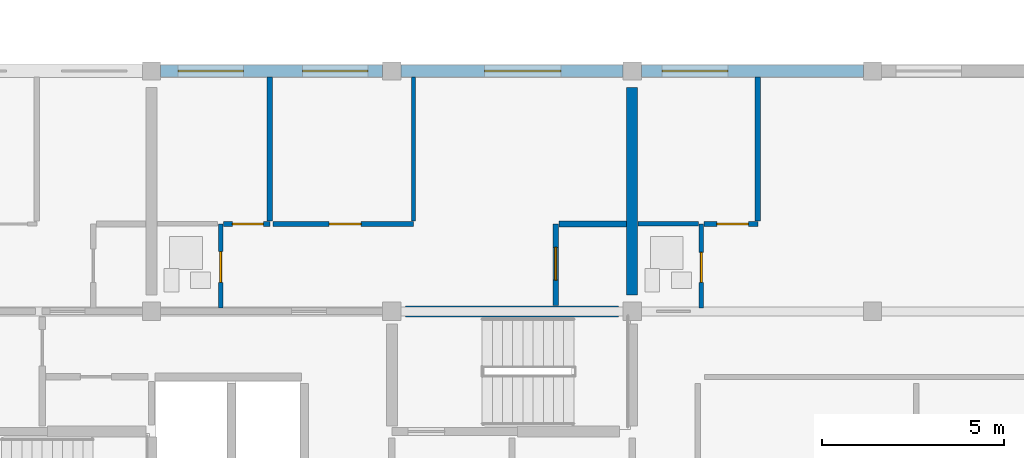
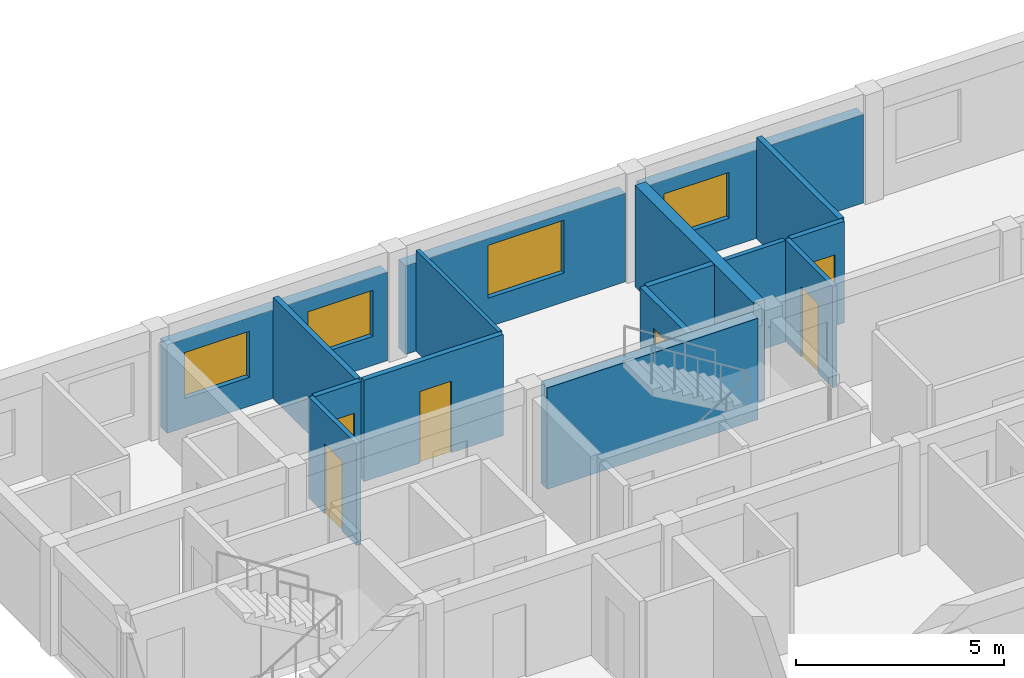
# One storey, part 39 of 53: 16 walls, 6 doors, 4 windows, 10 openings.
"""IFC4 building model written with IfcOpenShell, lengths in metres."""

from ifc_helpers import new_model, si_unit, direction, frame, frame_2d, origin, place, context, subcontext, project, spatial, rectangle, extrude, material, layer, layer_set, type_object, element, fill, save


model = new_model("IFC4")

# Units and contexts
model_context = context("Model", 3, precision=1e-05, world=origin(), true_north=direction((0.0, 1.0)))
body_context = subcontext(model_context, "Body", "Model", "MODEL_VIEW")
ifc_project = project(units=[si_unit("LENGTHUNIT", "METRE"), si_unit("AREAUNIT", "SQUARE_METRE"), si_unit("VOLUMEUNIT", "CUBIC_METRE"), si_unit("PLANEANGLEUNIT", "RADIAN"), si_unit("MASSUNIT", "GRAM", prefix="KILO")], contexts=[model_context])

# Site, building, storey
site_placement = place(None, origin())
site = spatial("IfcSite", under=ifc_project, at=site_placement, CompositionType="ELEMENT")
building_placement = place(site_placement, origin())
building = spatial("IfcBuilding", under=site, at=building_placement, Name="Kernevlak Ridge Housing Community", CompositionType="ELEMENT")
storey_placement = place(building_placement, frame((0.0, 0.0, 24.39990234375)))
storey = spatial("IfcBuildingStorey", under=building, at=storey_placement, Name="L07", CompositionType="ELEMENT", Elevation=24.39990234375)

# Wall, openings, windows
ifc_material_1 = material(Name="Concrete block masonry M10", Category="masonry")
ifc_layer_1 = layer(ifc_material_1, 0.320068359375, Name="Concrete block masonry M10")
ifc_layer_set_1 = layer_set([ifc_layer_1], Name="Concrete block masonry M10")
wall_type_1 = type_object("IfcWallType", Name="EW-02", PredefinedType="STANDARD", material=ifc_layer_set_1)
wall_1_placement = place(storey_placement, frame((126.25, 102.39990234375, 0.0), z_axis=(0.0, 0.0, 1.0), x_axis=(1.0, 0.0, 0.0)))
wall_1 = element("IfcWall", 1, at=wall_1_placement, inside=storey, type_object=wall_type_1, Name="Exterior wall EW-02 L07 409", PredefinedType="STANDARD", context=body_context, shape_type="SweptSolid", body=[
    extrude(rectangle(XDim=6.10009765625, YDim=0.320068359375, at=frame_2d((3.050048828125, 0.0))), origin(), (0.0, 0.0, 1.0), 2.60009765625),
])
opening_1_placement = place(wall_1_placement, frame((0.47509765625, 0.0, 0.85009765625)))
opening_1 = element("IfcOpeningElement", 2, at=opening_1_placement, cuts=wall_1, Name="Opening WT-03", PredefinedType="OPENING", context=body_context, shape_type="SweptSolid", body=[
    extrude(rectangle(XDim=1.800048828125, YDim=1.35009765625, at=frame_2d((0.89990234375, 0.675048828125))), frame((0.0, 0.169921875, 0.0), z_axis=(0.0, -1.0, 0.0), x_axis=(1.0, 0.0, 0.0)), (0.0, 0.0, 1.0), 0.340087890625),
])
opening_2_placement = place(wall_1_placement, frame((3.89990234375, 0.0, 0.85009765625)))
opening_2 = element("IfcOpeningElement", 3, at=opening_2_placement, cuts=wall_1, Name="Opening WT-03", PredefinedType="OPENING", context=body_context, shape_type="SweptSolid", body=[
    extrude(rectangle(XDim=1.800048828125, YDim=1.35009765625, at=frame_2d((0.89990234375, 0.675048828125))), frame((0.0, 0.169921875, 0.0), z_axis=(0.0, -1.0, 0.0), x_axis=(1.0, 0.0, 0.0)), (0.0, 0.0, 1.0), 0.340087890625),
])
ifc_material_2 = material(Name="Aluminium EN AW-6060 anodised and laminated glass", Category="aluminium")
window_type_1 = type_object("IfcWindowType", Name="WT-03", PartitioningType="SINGLE_PANEL", PredefinedType="WINDOW", material=ifc_material_2)
window_1_placement = place(opening_1_placement, origin())
window_1 = element("IfcWindow", 4, at=window_1_placement, inside=storey, type_object=window_type_1, Name="Window WT-03 L07 317", OverallHeight=1.35009765625, OverallWidth=1.800048828125, PartitioningType="SINGLE_PANEL", PredefinedType="WINDOW", context=body_context, shape_type="SweptSolid", body=[
    extrude(rectangle(XDim=1.800048828125, YDim=1.35009765625, at=frame_2d((0.89990234375, 0.675048828125))), frame((0.0, 0.030029296875, 0.0), z_axis=(0.0, -1.0, 0.0), x_axis=(1.0, 0.0, 0.0)), (0.0, 0.0, 1.0), 0.06005859375),
])
fill(opening_1, window_1)
window_2_placement = place(opening_2_placement, origin())
window_2 = element("IfcWindow", 5, at=window_2_placement, inside=storey, type_object=window_type_1, Name="Window WT-03 L07 318", OverallHeight=1.35009765625, OverallWidth=1.800048828125, PartitioningType="SINGLE_PANEL", PredefinedType="WINDOW", context=body_context, shape_type="SweptSolid", body=[
    extrude(rectangle(XDim=1.800048828125, YDim=1.35009765625, at=frame_2d((0.89990234375, 0.675048828125))), frame((0.0, 0.030029296875, 0.0), z_axis=(0.0, -1.0, 0.0), x_axis=(1.0, 0.0, 0.0)), (0.0, 0.0, 1.0), 0.06005859375),
])
fill(opening_2, window_2)

# Wall, opening, window
wall_2_placement = place(storey_placement, frame((132.85009765625, 102.39990234375, 0.0), z_axis=(0.0, 0.0, 1.0), x_axis=(1.0, 0.0, 0.0)))
wall_2 = element("IfcWall", 6, at=wall_2_placement, inside=storey, type_object=wall_type_1, Name="Exterior wall EW-02 L07 410", PredefinedType="STANDARD", context=body_context, shape_type="SweptSolid", body=[
    extrude(rectangle(XDim=6.099853515625, YDim=0.320068359375, at=frame_2d((3.0498046875, 0.0))), origin(), (0.0, 0.0, 1.0), 2.60009765625),
])
opening_3_placement = place(wall_2_placement, frame((2.2958984375, 0.0, 0.85009765625)))
opening_3 = element("IfcOpeningElement", 7, at=opening_3_placement, cuts=wall_2, Name="Opening WT-05", PredefinedType="OPENING", context=body_context, shape_type="SweptSolid", body=[
    extrude(rectangle(XDim=2.10009765625, YDim=1.550048828125, at=frame_2d((1.050048828125, 0.77490234375))), frame((0.0, 0.169921875, 0.0), z_axis=(0.0, -1.0, 0.0), x_axis=(1.0, 0.0, 0.0)), (0.0, 0.0, 1.0), 0.340087890625),
])
window_type_2 = type_object("IfcWindowType", Name="WT-05", PartitioningType="SINGLE_PANEL", PredefinedType="WINDOW", material=ifc_material_2)
window_3_placement = place(opening_3_placement, origin())
window_3 = element("IfcWindow", 8, at=window_3_placement, inside=storey, type_object=window_type_2, Name="Window WT-05 L07 319", OverallHeight=1.550048828125, OverallWidth=2.10009765625, PartitioningType="SINGLE_PANEL", PredefinedType="WINDOW", context=body_context, shape_type="SweptSolid", body=[
    extrude(rectangle(XDim=2.10009765625, YDim=1.550048828125, at=frame_2d((1.050048828125, 0.77490234375))), frame((0.0, 0.030029296875, 0.0), z_axis=(0.0, -1.0, 0.0), x_axis=(1.0, 0.0, 0.0)), (0.0, 0.0, 1.0), 0.06005859375),
])
fill(opening_3, window_3)

wall_3_placement = place(storey_placement, frame((139.449951171875, 102.39990234375, 0.0), z_axis=(0.0, 0.0, 1.0), x_axis=(1.0, 0.0, 0.0)))
wall_3 = element("IfcWall", 9, at=wall_3_placement, inside=storey, type_object=wall_type_1, Name="Exterior wall EW-02 L07 411", PredefinedType="STANDARD", context=body_context, shape_type="SweptSolid", body=[
    extrude(rectangle(XDim=6.10009765625, YDim=0.320068359375, at=frame_2d((3.050048828125, 0.0))), origin(), (0.0, 0.0, 1.0), 2.60009765625),
])
opening_4_placement = place(wall_3_placement, frame((0.574951171875, 0.0, 0.85009765625)))
opening_4 = element("IfcOpeningElement", 10, at=opening_4_placement, cuts=wall_3, Name="Opening WT-03", PredefinedType="OPENING", context=body_context, shape_type="SweptSolid", body=[
    extrude(rectangle(XDim=1.800048828125, YDim=1.35009765625, at=frame_2d((0.89990234375, 0.675048828125))), frame((0.0, 0.169921875, 0.0), z_axis=(0.0, -1.0, 0.0), x_axis=(1.0, 0.0, 0.0)), (0.0, 0.0, 1.0), 0.340087890625),
])
window_4_placement = place(opening_4_placement, origin())
window_4 = element("IfcWindow", 11, at=window_4_placement, inside=storey, type_object=window_type_1, Name="Window WT-03 L07 320", OverallHeight=1.35009765625, OverallWidth=1.800048828125, PartitioningType="SINGLE_PANEL", PredefinedType="WINDOW", context=body_context, shape_type="SweptSolid", body=[
    extrude(rectangle(XDim=1.800048828125, YDim=1.35009765625, at=frame_2d((0.89990234375, 0.675048828125))), frame((0.0, 0.030029296875, 0.0), z_axis=(0.0, -1.0, 0.0), x_axis=(1.0, 0.0, 0.0)), (0.0, 0.0, 1.0), 0.06005859375),
])
fill(opening_4, window_4)

# Wall, opening, door
ifc_layer_2 = layer(ifc_material_1, 0.14501953125, Name="Concrete block masonry M10")
ifc_layer_set_2 = layer_set([ifc_layer_2], Name="Concrete block masonry M10")
wall_type_2 = type_object("IfcWallType", Name="PW-03", PredefinedType="PARTITIONING", material=ifc_layer_set_2)
wall_4_placement = place(storey_placement, frame((127.972412109375, 98.199951171875, 0.0), z_axis=(0.0, 0.0, 1.0), x_axis=(1.0, 0.0, 0.0)))
wall_4 = element("IfcWall", 12, at=wall_4_placement, inside=storey, type_object=wall_type_2, Name="Interior wall PW-03 WAL-INT-L07-1628", PredefinedType="PARTITIONING", context=body_context, shape_type="SweptSolid", body=[
    extrude(rectangle(XDim=1.277587890625, YDim=0.14501953125, at=frame_2d((0.638671875, 0.0))), origin(), (0.0, 0.0, 1.0), 2.97021484375),
])
opening_5_placement = place(wall_4_placement, frame((0.25, 0.0, 0.0)))
opening_5 = element("IfcOpeningElement", 13, at=opening_5_placement, cuts=wall_4, Name="Opening D824", PredefinedType="OPENING", context=body_context, shape_type="SweptSolid", body=[
    extrude(rectangle(XDim=0.85009765625, YDim=2.10009765625, at=frame_2d((0.425048828125, 1.050048828125))), frame((0.0, 0.08251953125, 0.0), z_axis=(0.0, -1.0, 0.0), x_axis=(1.0, 0.0, 0.0)), (0.0, 0.0, 1.0), 0.1650390625),
])
ifc_material_3 = material(Name="Hardwood timber leaf", Category="wood")
door_type_1 = type_object("IfcDoorType", Name="DT-03", OperationType="NOTDEFINED", PredefinedType="DOOR", material=ifc_material_3)
door_1_placement = place(opening_5_placement, origin())
door_1 = element("IfcDoor", 14, at=door_1_placement, inside=storey, type_object=door_type_1, Name="Flat B0722 bedroom door D824", OperationType="SINGLE_SWING_RIGHT", OverallHeight=2.10009765625, OverallWidth=0.85009765625, PredefinedType="DOOR", context=body_context, shape_type="SweptSolid", body=[
    extrude(rectangle(XDim=0.85009765625, YDim=2.10009765625, at=frame_2d((0.425048828125, 1.050048828125))), frame((0.0, 0.02490234375, 0.0), z_axis=(0.0, -1.0, 0.0), x_axis=(1.0, 0.0, 0.0)), (0.0, 0.0, 1.0), 0.050048828125),
])
fill(opening_5, door_1)

# Wall
wall_5_placement = place(storey_placement, frame((129.25, 98.282470703125, 0.0), z_axis=(0.0, 0.0, 1.0), x_axis=(0.0, 1.0, 0.0)))
element("IfcWall", 15, at=wall_5_placement, inside=storey, type_object=wall_type_2, Name="Interior wall PW-03 WAL-INT-L07-1629", PredefinedType="PARTITIONING", context=body_context, shape_type="SweptSolid", body=[
    extrude(rectangle(XDim=3.947509765625, YDim=0.14501953125, at=frame_2d((1.9736328125, 0.0))), origin(), (0.0, 0.0, 1.0), 2.97021484375),
])

# Wall, opening, door
wall_6_placement = place(storey_placement, frame((129.33251953125, 98.199951171875, 0.0), z_axis=(0.0, 0.0, 1.0), x_axis=(1.0, 0.0, 0.0)))
wall_6 = element("IfcWall", 16, at=wall_6_placement, inside=storey, type_object=wall_type_2, Name="Interior wall PW-03 WAL-INT-L07-1630", PredefinedType="PARTITIONING", context=body_context, shape_type="SweptSolid", body=[
    extrude(rectangle(XDim=3.859375, YDim=0.14501953125, at=frame_2d((1.9296875, 0.0))), origin(), (0.0, 0.0, 1.0), 2.97021484375),
])
opening_6_placement = place(wall_6_placement, frame((1.5458984375, 0.0, 0.0)))
opening_6 = element("IfcOpeningElement", 17, at=opening_6_placement, cuts=wall_6, Name="Opening D825", PredefinedType="OPENING", context=body_context, shape_type="SweptSolid", body=[
    extrude(rectangle(XDim=0.8798828125, YDim=2.10009765625, at=frame_2d((0.43994140625, 1.050048828125))), frame((0.0, 0.08251953125, 0.0), z_axis=(0.0, -1.0, 0.0), x_axis=(1.0, 0.0, 0.0)), (0.0, 0.0, 1.0), 0.1650390625),
])
door_type_2 = type_object("IfcDoorType", Name="DT-25", OperationType="NOTDEFINED", PredefinedType="DOOR", material=ifc_material_3)
door_2_placement = place(opening_6_placement, origin())
door_2 = element("IfcDoor", 18, at=door_2_placement, inside=storey, type_object=door_type_2, Name="Flat B0722 bedroom door D825", OperationType="SINGLE_SWING_LEFT", OverallHeight=2.10009765625, OverallWidth=0.8798828125, PredefinedType="DOOR", context=body_context, shape_type="SweptSolid", body=[
    extrude(rectangle(XDim=0.8798828125, YDim=2.10009765625, at=frame_2d((0.43994140625, 1.050048828125))), frame((0.0, 0.02490234375, 0.0), z_axis=(0.0, -1.0, 0.0), x_axis=(1.0, 0.0, 0.0)), (0.0, 0.0, 1.0), 0.050048828125),
])
fill(opening_6, door_2)

wall_7_placement = place(storey_placement, frame((141.172607421875, 98.199951171875, 0.0), z_axis=(0.0, 0.0, 1.0), x_axis=(1.0, 0.0, 0.0)))
wall_7 = element("IfcWall", 19, at=wall_7_placement, inside=storey, type_object=wall_type_2, Name="Interior wall PW-03 WAL-INT-L07-1637", PredefinedType="PARTITIONING", context=body_context, shape_type="SweptSolid", body=[
    extrude(rectangle(XDim=1.477294921875, YDim=0.14501953125, at=frame_2d((0.73876953125, 0.0))), origin(), (0.0, 0.0, 1.0), 2.97021484375),
])
opening_7_placement = place(wall_7_placement, frame((0.35009765625, 0.0, 0.0)))
opening_7 = element("IfcOpeningElement", 20, at=opening_7_placement, cuts=wall_7, Name="Opening D829", PredefinedType="OPENING", context=body_context, shape_type="SweptSolid", body=[
    extrude(rectangle(XDim=0.8701171875, YDim=2.080078125, at=frame_2d((0.43505859375, 1.0400390625))), frame((0.0, 0.08251953125, 0.0), z_axis=(0.0, -1.0, 0.0), x_axis=(1.0, 0.0, 0.0)), (0.0, 0.0, 1.0), 0.1650390625),
])
door_type_3 = type_object("IfcDoorType", Name="DT-32", OperationType="NOTDEFINED", PredefinedType="DOOR", material=ifc_material_3)
door_3_placement = place(opening_7_placement, origin())
door_3 = element("IfcDoor", 21, at=door_3_placement, inside=storey, type_object=door_type_3, Name="Flat B0723 bedroom door D829", OperationType="SINGLE_SWING_LEFT", OverallHeight=2.080078125, OverallWidth=0.8701171875, PredefinedType="DOOR", context=body_context, shape_type="SweptSolid", body=[
    extrude(rectangle(XDim=0.8701171875, YDim=2.080078125, at=frame_2d((0.43505859375, 1.0400390625))), frame((0.0, 0.02490234375, 0.0), z_axis=(0.0, -1.0, 0.0), x_axis=(1.0, 0.0, 0.0)), (0.0, 0.0, 1.0), 0.050048828125),
])
fill(opening_7, door_3)

# Wall
wall_8_placement = place(storey_placement, frame((142.64990234375, 98.282470703125, 0.0), z_axis=(0.0, 0.0, 1.0), x_axis=(0.0, 1.0, 0.0)))
element("IfcWall", 22, at=wall_8_placement, inside=storey, type_object=wall_type_2, Name="Interior wall PW-03 WAL-INT-L07-1638", PredefinedType="PARTITIONING", context=body_context, shape_type="SweptSolid", body=[
    extrude(rectangle(XDim=3.947509765625, YDim=0.14501953125, at=frame_2d((1.9736328125, 0.0))), origin(), (0.0, 0.0, 1.0), 2.97021484375),
])

# Wall, opening, door
ifc_material_4 = material(Name="Gypsum plasterboard EN 520", Category="gypsum")
ifc_layer_3 = layer(ifc_material_4, 0.125, Name="Gypsum plasterboard EN 520")
ifc_layer_set_3 = layer_set([ifc_layer_3], Name="Gypsum plasterboard EN 520")
wall_type_3 = type_object("IfcWallType", Name="PW-04", PredefinedType="PARTITIONING", material=ifc_layer_set_3)
wall_9_placement = place(storey_placement, frame((127.89990234375, 95.8974609375, 0.0), z_axis=(0.0, 0.0, 1.0), x_axis=(0.0, 1.0, 0.0)))
wall_9 = element("IfcWall", 23, at=wall_9_placement, inside=storey, type_object=wall_type_3, Name="Interior wall PW-04 WAL-INT-L07-1624", PredefinedType="PARTITIONING", context=body_context, shape_type="SweptSolid", body=[
    extrude(rectangle(XDim=2.302490234375, YDim=0.125, at=frame_2d((1.1513671875, 0.0))), origin(), (0.0, 0.0, 1.0), 2.97021484375),
])
opening_8_placement = place(wall_9_placement, frame((0.699951171875, 0.0, 0.0)))
opening_8 = element("IfcOpeningElement", 24, at=opening_8_placement, cuts=wall_9, Name="Opening D822", PredefinedType="OPENING", context=body_context, shape_type="SweptSolid", body=[
    extrude(rectangle(XDim=0.840087890625, YDim=2.06005859375, at=frame_2d((0.419921875, 1.030029296875))), frame((0.0, 0.072509765625, 0.0), z_axis=(0.0, -1.0, 0.0), x_axis=(1.0, 0.0, 0.0)), (0.0, 0.0, 1.0), 0.14501953125),
])
ifc_material_5 = material(Name="Hardwood timber moisture-resistant leaf", Category="wood")
door_type_4 = type_object("IfcDoorType", Name="DT-27", OperationType="NOTDEFINED", PredefinedType="DOOR", material=ifc_material_5)
door_4_placement = place(opening_8_placement, origin())
door_4 = element("IfcDoor", 25, at=door_4_placement, inside=storey, type_object=door_type_4, Name="Flat B0722 bathroom door D822", OperationType="SINGLE_SWING_RIGHT", OverallHeight=2.06005859375, OverallWidth=0.840087890625, PredefinedType="DOOR", context=body_context, shape_type="SweptSolid", body=[
    extrude(rectangle(XDim=0.840087890625, YDim=2.06005859375, at=frame_2d((0.419921875, 1.030029296875))), frame((0.0, 0.02490234375, 0.0), z_axis=(0.0, -1.0, 0.0), x_axis=(1.0, 0.0, 0.0)), (0.0, 0.0, 1.0), 0.050048828125),
])
fill(opening_8, door_4)

wall_10_placement = place(storey_placement, frame((141.10009765625, 95.8974609375, 0.0), z_axis=(0.0, 0.0, 1.0), x_axis=(0.0, 1.0, 0.0)))
wall_10 = element("IfcWall", 26, at=wall_10_placement, inside=storey, type_object=wall_type_3, Name="Interior wall PW-04 WAL-INT-L07-1633", PredefinedType="PARTITIONING", context=body_context, shape_type="SweptSolid", body=[
    extrude(rectangle(XDim=2.302490234375, YDim=0.125, at=frame_2d((1.1513671875, 0.0))), origin(), (0.0, 0.0, 1.0), 2.97021484375),
])
opening_9_placement = place(wall_10_placement, frame((0.699951171875, 0.0, 0.0)))
opening_9 = element("IfcOpeningElement", 27, at=opening_9_placement, cuts=wall_10, Name="Opening D827", PredefinedType="OPENING", context=body_context, shape_type="SweptSolid", body=[
    extrude(rectangle(XDim=0.820068359375, YDim=2.050048828125, at=frame_2d((0.41015625, 1.02490234375))), frame((0.0, 0.072509765625, 0.0), z_axis=(0.0, -1.0, 0.0), x_axis=(1.0, 0.0, 0.0)), (0.0, 0.0, 1.0), 0.14501953125),
])
door_type_5 = type_object("IfcDoorType", Name="DT-30", OperationType="NOTDEFINED", PredefinedType="DOOR", material=ifc_material_5)
door_5_placement = place(opening_9_placement, origin())
door_5 = element("IfcDoor", 28, at=door_5_placement, inside=storey, type_object=door_type_5, Name="Flat B0723 bathroom door D827", OperationType="SINGLE_SWING_LEFT", OverallHeight=2.050048828125, OverallWidth=0.820068359375, PredefinedType="DOOR", context=body_context, shape_type="SweptSolid", body=[
    extrude(rectangle(XDim=0.820068359375, YDim=2.050048828125, at=frame_2d((0.41015625, 1.02490234375))), frame((0.0, 0.02490234375, 0.0), z_axis=(0.0, -1.0, 0.0), x_axis=(1.0, 0.0, 0.0)), (0.0, 0.0, 1.0), 0.050048828125),
])
fill(opening_9, door_5)

# Wall
wall_11_placement = place(storey_placement, frame((139.360107421875, 98.199951171875, 0.0), z_axis=(0.0, 0.0, 1.0), x_axis=(1.0, 0.0, 0.0)))
element("IfcWall", 29, at=wall_11_placement, inside=storey, type_object=wall_type_3, Name="Interior wall PW-04 WAL-INT-L07-1634", PredefinedType="PARTITIONING", context=body_context, shape_type="SweptSolid", body=[
    extrude(rectangle(XDim=1.659912109375, YDim=0.125, at=frame_2d((0.830078125, 0.0))), origin(), (0.0, 0.0, 1.0), 2.97021484375),
])

# Wall, opening, door
ifc_layer_4 = layer(ifc_material_4, 0.155029296875, Name="Gypsum plasterboard EN 520")
ifc_layer_set_4 = layer_set([ifc_layer_4], Name="Gypsum plasterboard EN 520")
wall_type_4 = type_object("IfcWallType", Name="PW-05", PredefinedType="PARTITIONING", material=ifc_layer_set_4)
wall_12_placement = place(storey_placement, frame((137.10009765625, 95.9599609375, 0.0), z_axis=(0.0, 0.0, 1.0), x_axis=(0.0, 1.0, 0.0)))
wall_12 = element("IfcWall", 30, at=wall_12_placement, inside=storey, type_object=wall_type_4, Name="Interior wall PW-05 WAL-INT-L07-1626", PredefinedType="PARTITIONING", context=body_context, shape_type="SweptSolid", body=[
    extrude(rectangle(XDim=2.239990234375, YDim=0.155029296875, at=frame_2d((1.1201171875, 0.0))), origin(), (0.0, 0.0, 1.0), 2.97021484375),
])
opening_10_placement = place(wall_12_placement, frame((0.699951171875, 0.0, 0.0)))
opening_10 = element("IfcOpeningElement", 31, at=opening_10_placement, cuts=wall_12, Name="Opening D823", PredefinedType="OPENING", context=body_context, shape_type="SweptSolid", body=[
    extrude(rectangle(XDim=0.89990234375, YDim=2.159912109375, at=frame_2d((0.449951171875, 1.080078125))), frame((0.0, 0.08740234375, 0.0), z_axis=(0.0, -1.0, 0.0), x_axis=(1.0, 0.0, 0.0)), (0.0, 0.0, 1.0), 0.175048828125),
])
door_type_6 = type_object("IfcDoorType", Name="DT-22", OperationType="NOTDEFINED", PredefinedType="DOOR", material=ifc_material_3)
door_6_placement = place(opening_10_placement, origin())
door_6 = element("IfcDoor", 32, at=door_6_placement, inside=storey, type_object=door_type_6, Name="Flat B0722 kitchen door D823", OperationType="SINGLE_SWING_LEFT", OverallHeight=2.159912109375, OverallWidth=0.89990234375, PredefinedType="DOOR", context=body_context, shape_type="SweptSolid", body=[
    extrude(rectangle(XDim=0.89990234375, YDim=2.159912109375, at=frame_2d((0.449951171875, 1.080078125))), frame((0.0, 0.02490234375, 0.0), z_axis=(0.0, -1.0, 0.0), x_axis=(1.0, 0.0, 0.0)), (0.0, 0.0, 1.0), 0.050048828125),
])
fill(opening_10, door_6)

# Walls
wall_13_placement = place(storey_placement, frame((137.1875, 98.199951171875, 0.0), z_axis=(0.0, 0.0, 1.0), x_axis=(1.0, 0.0, 0.0)))
element("IfcWall", 33, at=wall_13_placement, inside=storey, type_object=wall_type_4, Name="Interior wall PW-05 WAL-INT-L07-1627", PredefinedType="PARTITIONING", context=body_context, shape_type="SweptSolid", body=[
    extrude(rectangle(XDim=1.8525390625, YDim=0.155029296875, at=frame_2d((0.92626953125, 0.0))), origin(), (0.0, 0.0, 1.0), 2.97021484375),
])
ifc_layer_5 = layer(ifc_material_4, 0.10498046875, Name="Gypsum plasterboard EN 520")
ifc_layer_set_5 = layer_set([ifc_layer_5], Name="Gypsum plasterboard EN 520")
wall_type_5 = type_object("IfcWallType", Name="PW-06", PredefinedType="PARTITIONING", material=ifc_layer_set_5)
wall_14_placement = place(storey_placement, frame((133.19189453125, 98.282470703125, 0.0), z_axis=(0.0, 0.0, 1.0), x_axis=(0.0, 1.0, 0.0)))
element("IfcWall", 34, at=wall_14_placement, inside=storey, type_object=wall_type_5, Name="Interior wall PW-06 WAL-INT-L07-1631", PredefinedType="PARTITIONING", context=body_context, shape_type="SweptSolid", body=[
    extrude(rectangle(XDim=3.947509765625, YDim=0.10498046875, at=frame_2d((1.9736328125, 0.0))), origin(), (0.0, 0.0, 1.0), 2.97021484375),
])
ifc_material_6 = material(Name="Concrete C40/50", Category="concrete")
ifc_layer_6 = layer(ifc_material_6, 0.300048828125, Name="Concrete C40/50")
ifc_layer_set_6 = layer_set([ifc_layer_6], Name="Concrete C40/50")
wall_type_6 = type_object("IfcWallType", Name="SW-02", PredefinedType="SHEAR", material=ifc_layer_set_6)
wall_15_placement = place(storey_placement, frame((132.97998046875, 95.800048828125, 0.0), z_axis=(0.0, 0.0, 1.0), x_axis=(1.0, 0.0, 0.0)))
element("IfcWall", 35, at=wall_15_placement, inside=storey, type_object=wall_type_6, Name="Shear wall SW-02 Block B L07 284", PredefinedType="SHEAR", context=body_context, shape_type="SweptSolid", body=[
    extrude(rectangle(XDim=5.840087890625, YDim=0.300048828125, at=frame_2d((2.919921875, 0.0))), origin(), (0.0, 0.0, 1.0), 2.97021484375),
])
wall_16_placement = place(storey_placement, frame((139.199951171875, 96.25, 0.0), z_axis=(0.0, 0.0, 1.0), x_axis=(0.0, 1.0, 0.0)))
element("IfcWall", 36, at=wall_16_placement, inside=storey, type_object=wall_type_6, Name="Shear wall SW-02 Block B L07 290", PredefinedType="SHEAR", context=body_context, shape_type="SweptSolid", body=[
    extrude(rectangle(XDim=5.699951171875, YDim=0.300048828125, at=frame_2d((2.85009765625, 0.0))), origin(), (0.0, 0.0, 1.0), 2.97021484375),
])

save(model, "model.ifc")
